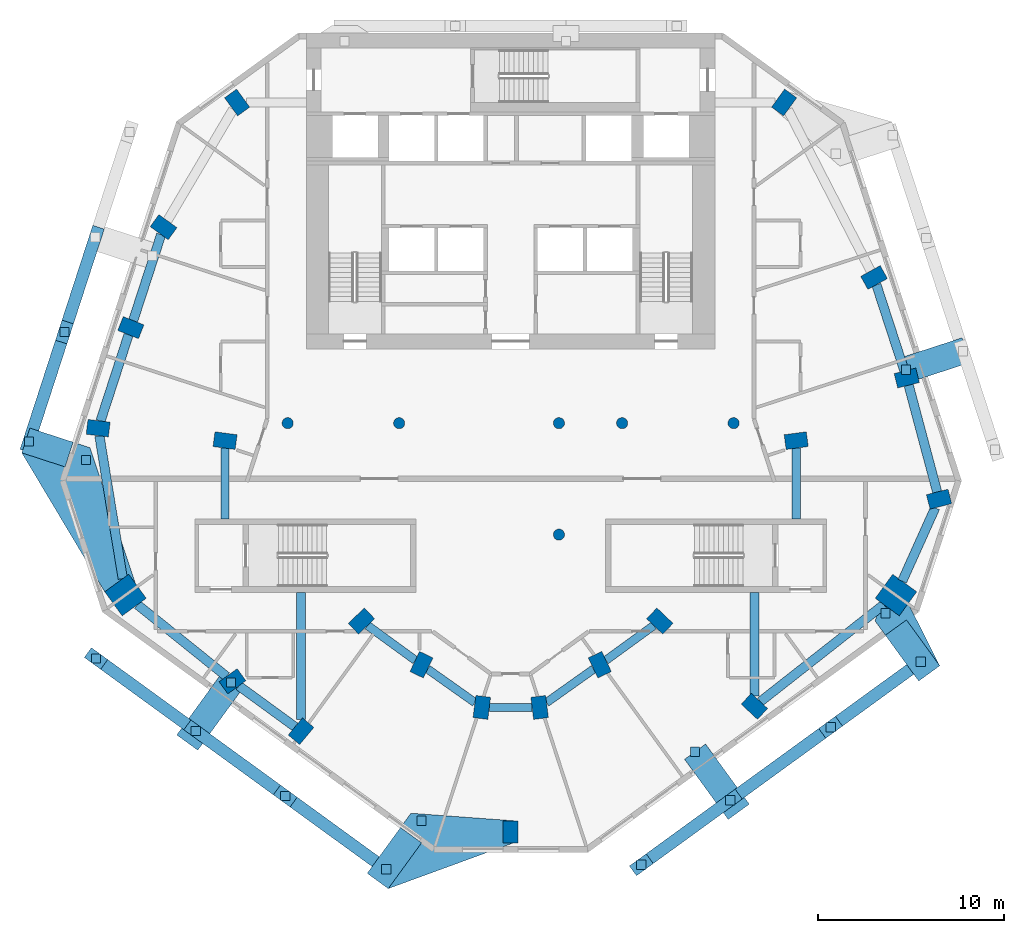
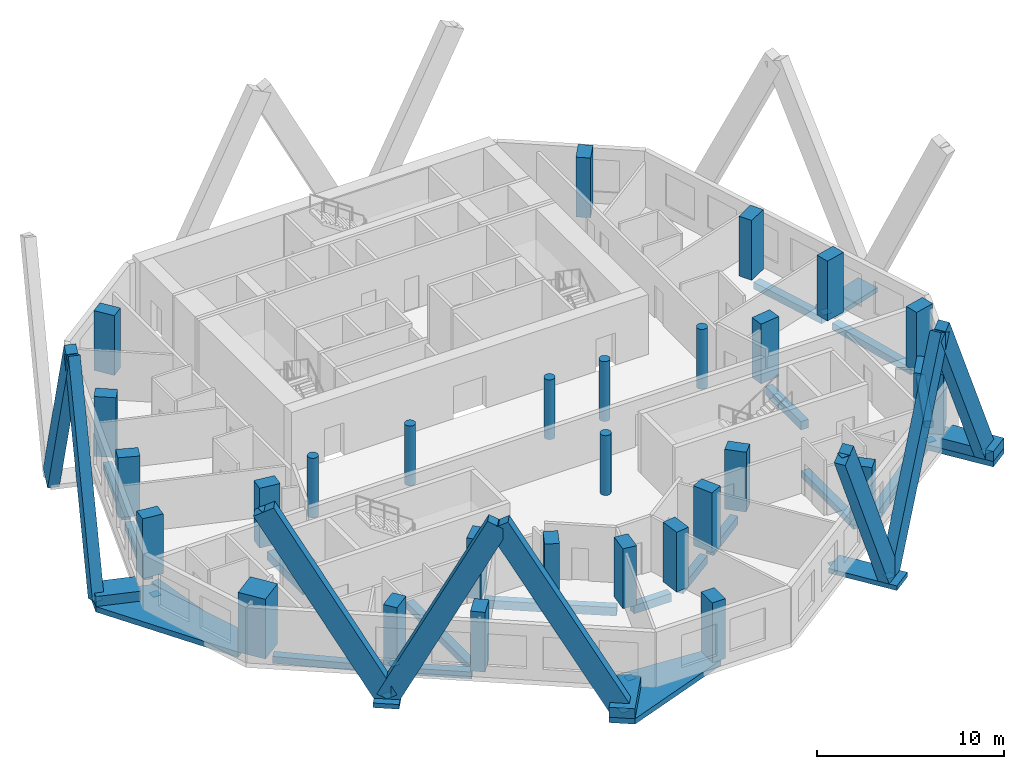
# One storey, part 1 of 10: 28 columns, 18 beams, 17 members, 16 discrete accessories.
"""IFC4 building model written with IfcOpenShell, lengths in metres."""

import ifcopenshell
import ifcopenshell.guid

model = None  # the IFC model being written
_history = None  # IfcOwnerHistory: only IFC2X3 demands one
_inside = {}  # id of a spatial element -> (the spatial element, [elements in it])
_under = {}  # id of a project, library or spatial element -> (it, [spatial elements below it])
_declared = {}  # id of a project -> (the project, [libraries it declares])
_typed = {}  # id of a type object -> (the type object, [elements of that type])
_made_of = {}  # id of a material, layer set ... -> (it, [elements and type objects made of it])


def new_model(schema):
    """Start an empty IFC model of exactly this schema.

    Asked for "IFC4X3", IfcOpenShell would pick the latest addendum, in which some entities
    have other attributes; the version numbers below select the first issue.
    IFC2X3 requires an IfcOwnerHistory on every rooted entity: one is made here for all.
    """
    global model, _history
    if schema == "IFC4X3":
        model = ifcopenshell.file(schema_version=(4, 3, 0, 0))
    else:
        model = ifcopenshell.file(schema=schema)
    _inside.clear()
    _under.clear()
    _declared.clear()
    _typed.clear()
    _made_of.clear()
    _history = None
    if model.schema == "IFC2X3":
        org = make("IfcOrganization", Name="unknown")
        user = make(
            "IfcPersonAndOrganization",
            ThePerson=make("IfcPerson", FamilyName="unknown"),
            TheOrganization=org,
        )
        app = make(
            "IfcApplication",
            ApplicationDeveloper=org,
            Version="unknown",
            ApplicationFullName="unknown",
            ApplicationIdentifier="unknown",
        )
        _history = make(
            "IfcOwnerHistory",
            OwningUser=user,
            OwningApplication=app,
            ChangeAction="ADDED",
            CreationDate=0,
        )
    return model


def make(cls, **values):
    """One entity of the class cls with the attributes given. An attribute that is None is left unset."""
    return model.create_entity(
        cls, **{name: value for name, value in values.items() if value is not None}
    )


def rooted(cls, **values):
    """An entity with a GlobalId (a new one), such as an element, a storey or a relation."""
    return make(cls, GlobalId=ifcopenshell.guid.new(), OwnerHistory=_history, **values)


def si_unit(unit_type, name, prefix=None):
    """IfcSIUnit, for example si_unit("LENGTHUNIT", "METRE", prefix="MILLI")."""
    return make("IfcSIUnit", UnitType=unit_type, Prefix=prefix, Name=name)


def assignment(units):
    """IfcUnitAssignment: the units of a project."""
    return None if units is None else make("IfcUnitAssignment", Units=units)


def point(xyz):
    """IfcCartesianPoint."""
    return None if xyz is None else make("IfcCartesianPoint", Coordinates=xyz)


def direction(xyz):
    """IfcDirection."""
    return None if xyz is None else make("IfcDirection", DirectionRatios=xyz)


def frame(location, z_axis=None, x_axis=None):
    """IfcAxis2Placement3D, a coordinate frame: its origin and axes. An axis left out is left unset."""
    return make(
        "IfcAxis2Placement3D",
        Location=point(location),
        Axis=direction(z_axis),
        RefDirection=direction(x_axis),
    )


def frame_2d(location, x_axis=None):
    """IfcAxis2Placement2D, a coordinate frame in the plane: its origin and x axis."""
    return make(
        "IfcAxis2Placement2D", Location=point(location), RefDirection=direction(x_axis)
    )


def origin():
    """The frame at (0, 0, 0) with its axes left unset."""
    return frame((0.0, 0.0, 0.0))


def origin_2d():
    """The frame at (0, 0) in the plane with its x axis left unset."""
    return frame_2d((0.0, 0.0))


def place(relative_to, where):
    """IfcLocalPlacement: puts the frame where relative to a parent placement (None: the world)."""
    return make(
        "IfcLocalPlacement", PlacementRelTo=relative_to, RelativePlacement=where
    )


def context(
    kind, dimensions, precision=None, world=None, true_north=None, identifier=None
):
    """IfcGeometricRepresentationContext, for example the 3D "Model" context."""
    return make(
        "IfcGeometricRepresentationContext",
        ContextIdentifier=identifier,
        ContextType=kind,
        CoordinateSpaceDimension=dimensions,
        Precision=precision,
        WorldCoordinateSystem=world,
        TrueNorth=true_north,
    )


def subcontext(parent, identifier, kind, view, scale=None):
    """IfcGeometricRepresentationSubContext, for example "Body" below "Model"."""
    return make(
        "IfcGeometricRepresentationSubContext",
        ContextIdentifier=identifier,
        ContextType=kind,
        ParentContext=parent,
        TargetScale=scale,
        TargetView=view,
    )


def project(units=None, contexts=None):
    """IfcProject with its units and contexts."""
    return rooted(
        "IfcProject",
        Name="project",
        RepresentationContexts=contexts,
        UnitsInContext=assignment(units),
    )


def spatial(cls, under=None, at=None, **own):
    """A site, building, storey or space (cls), placed at a placement, below another one or the project."""
    s = rooted(cls, ObjectPlacement=at, **own)
    if under is not None:
        _under.setdefault(under.id(), (under, []))[1].append(s)
    return s


def polyline(points):
    """IfcPolyline through the points."""
    return make("IfcPolyline", Points=[point(p) for p in points])


def profile(cls, at=None, kind="AREA", **sizes):
    """A parametric profile (cls). Its sizes go by their IFC names, for example OverallWidth=200.0."""
    return make(cls, ProfileType=kind, Position=at, **sizes)


def rectangle(**sizes):
    """IfcRectangleProfileDef."""
    return profile("IfcRectangleProfileDef", **sizes)


def circle(**sizes):
    """IfcCircleProfileDef."""
    return profile("IfcCircleProfileDef", **sizes)


def outline(outer, holes=None, kind="AREA"):
    """IfcArbitraryClosedProfileDef: a profile drawn as a closed curve; with holes, ...WithVoids."""
    if holes is None:
        return make("IfcArbitraryClosedProfileDef", ProfileType=kind, OuterCurve=outer)
    return make(
        "IfcArbitraryProfileDefWithVoids",
        ProfileType=kind,
        OuterCurve=outer,
        InnerCurves=holes,
    )


def extrude(swept, where, along, depth):
    """IfcExtrudedAreaSolid: the profile swept, set in the frame where, extruded along a direction by depth."""
    return make(
        "IfcExtrudedAreaSolid",
        SweptArea=swept,
        Position=where,
        ExtrudedDirection=direction(along),
        Depth=depth,
    )


def shape(context_of_items, identifier, shape_type, items):
    """IfcShapeRepresentation: the items that make up one representation, for example the "Body"."""
    return make(
        "IfcShapeRepresentation",
        ContextOfItems=context_of_items,
        RepresentationIdentifier=identifier,
        RepresentationType=shape_type,
        Items=items,
    )


def material(Name=None, Category=None):
    """IfcMaterial."""
    return make("IfcMaterial", Name=Name, Category=Category)


def layer(
    of_material, thickness, ventilated=None, Name=None, Category=None, Priority=None
):
    """IfcMaterialLayer: one layer of a wall or slab, of a material (None: an air gap)."""
    return make(
        "IfcMaterialLayer",
        Material=of_material,
        LayerThickness=thickness,
        IsVentilated=ventilated,
        Name=Name,
        Category=Category,
        Priority=Priority,
    )


def layer_set(layers, Name=None):
    """IfcMaterialLayerSet."""
    return make("IfcMaterialLayerSet", MaterialLayers=layers, LayerSetName=Name)


def material_profile(
    of_material, cross_section, Name=None, Category=None, Priority=None
):
    """IfcMaterialProfile: a cross section and its material."""
    return make(
        "IfcMaterialProfile",
        Name=Name,
        Material=of_material,
        Profile=cross_section,
        Priority=Priority,
        Category=Category,
    )


def profile_set(profiles, Name=None, composite=None):
    """IfcMaterialProfileSet."""
    return make(
        "IfcMaterialProfileSet",
        Name=Name,
        MaterialProfiles=profiles,
        CompositeProfile=composite,
    )


def made_of(thing, what):
    """Note that an element or type object is made of a material, layer set ...; save() writes the relation."""
    if what is not None:
        _made_of.setdefault(what.id(), (what, []))[1].append(thing)
    return thing


def type_object(cls, material=None, **own):
    """A type object (cls), such as IfcWallType, which elements share."""
    return made_of(rooted(cls, **own), material)


def element(
    cls,
    number,
    at=None,
    inside=None,
    cuts=None,
    type_object=None,
    material=None,
    context=None,
    identifier="Body",
    shape_type=None,
    held_by="IfcProductDefinitionShape",
    body=None,
    shapes=None,
    **own,
):
    """One element of the class cls, such as IfcWall. Its Tag is "e" and its number.

    at: its placement. inside: the storey or other place that contains it. cuts: it is an
    opening in that element (IfcRelVoidsElement). A single representation is given by context,
    identifier, shape_type and body (its items); several are given by shapes. held_by: the class
    of the entity that holds the representations. save() writes the other relations.
    """
    e = rooted(cls, Tag="e%d" % number, ObjectPlacement=at, **own)
    if body is not None:
        shapes = [shape(context, identifier, shape_type, body)]
    if shapes is not None:
        e.Representation = make(held_by, Representations=shapes)
    if inside is not None:
        _inside.setdefault(inside.id(), (inside, []))[1].append(e)
    if cuts is not None:
        rooted(
            "IfcRelVoidsElement", RelatingBuildingElement=cuts, RelatedOpeningElement=e
        )
    if type_object is not None:
        _typed.setdefault(type_object.id(), (type_object, []))[1].append(e)
    return made_of(e, material)


def aggregate(whole, parts):
    """IfcRelAggregates: a whole, such as a stair, and the parts it consists of."""
    return rooted("IfcRelAggregates", RelatingObject=whole, RelatedObjects=parts)


def save(model, path):
    """Write the relations noted so far, then the file.

    IfcRelAggregates (storeys below a building ...), IfcRelContainedInSpatialStructure (elements
    in a storey), IfcRelDefinesByType, IfcRelAssociatesMaterial and IfcRelDeclares: one each for
    every whole, place, type object, material and project.
    """
    for whole, parts in _under.values():
        aggregate(whole, parts)
    for where, things in _inside.values():
        rooted(
            "IfcRelContainedInSpatialStructure",
            RelatedElements=things,
            RelatingStructure=where,
        )
    for kind, things in _typed.values():
        rooted("IfcRelDefinesByType", RelatedObjects=things, RelatingType=kind)
    for what, things in _made_of.values():
        rooted("IfcRelAssociatesMaterial", RelatedObjects=things, RelatingMaterial=what)
    for by, libraries in _declared.values():
        rooted("IfcRelDeclares", RelatingContext=by, RelatedDefinitions=libraries)
    model.write(path)


model = new_model("IFC4")

# Units and contexts
model_context = context("Model", 3, precision=1e-05, world=origin(), true_north=direction((0.0, 1.0)))
body_context = subcontext(model_context, "Body", "Model", "MODEL_VIEW")
ifc_project = project(units=[si_unit("LENGTHUNIT", "METRE"), si_unit("AREAUNIT", "SQUARE_METRE"), si_unit("VOLUMEUNIT", "CUBIC_METRE"), si_unit("PLANEANGLEUNIT", "RADIAN"), si_unit("MASSUNIT", "GRAM", prefix="KILO")], contexts=[model_context])

# Site, building, storey
site_placement = place(None, origin())
site = spatial("IfcSite", under=ifc_project, at=site_placement, CompositionType="ELEMENT")
building_placement = place(site_placement, origin())
building = spatial("IfcBuilding", under=site, at=building_placement, Name="White Candle Pilgrim Tower", CompositionType="ELEMENT")
storey_placement = place(building_placement, frame((0.0, 0.0, 231.60009765625)))
storey = spatial("IfcBuildingStorey", under=building, at=storey_placement, Name="L54", CompositionType="ELEMENT", Elevation=231.60009765625)

# Columns
ifc_material_1 = material(Name="Concrete C70/85", Category="concrete")
ifc_material_profile_1 = material_profile(ifc_material_1, circle(Radius=0.300048828125, at=origin_2d()), Name="RC-COL D600")
ifc_profile_set_1 = profile_set([ifc_material_profile_1], Name="Concrete C70/85")
column_type_1 = type_object("IfcColumnType", Name="Interior column RC-COL D600 C70/85", PredefinedType="COLUMN", material=ifc_profile_set_1)
for number, where, z_axis, x_axis, name in (
    (1, (58.0, 67.0, 0.0), (0.0, 0.0, 1.0), (1.0, 0.0, 0.0), "L54 column I01"),
    (2, (64.0, 67.0, 0.0), (0.0, 0.0, 1.0), (1.0, 0.0, 0.0), "L54 column I02"),
    (3, (72.60009765625, 61.0, 0.0), (0.0, 0.0, 1.0), (1.0, 0.0, 0.0), "L54 column I03"),
    (4, (72.60009765625, 67.0, 0.0), (0.0, 0.0, 1.0), (1.0, 0.0, 0.0), "L54 column I04"),
    (5, (76.0, 67.0, 0.0), (0.0, 0.0, 1.0), (1.0, 0.0, 0.0), "L54 column I05"),
    (6, (82.0, 67.0, 0.0), (0.0, 0.0, 1.0), (1.0, 0.0, 0.0), "L54 column I06"),
):
    element("IfcColumn", number, at=place(storey_placement, frame(where, z_axis=z_axis, x_axis=x_axis)), inside=storey, type_object=column_type_1, Name=name, PredefinedType="COLUMN", context=body_context, shape_type="SweptSolid", body=[
        extrude(circle(Radius=0.300048828125, at=origin_2d()), origin(), (0.0, 0.0, 1.0), 3.89990234375),
    ])
ifc_material_profile_2 = material_profile(ifc_material_1, rectangle(XDim=1.60009765625, YDim=1.60009765625, at=origin_2d()), Name="RC 1600x1600")
ifc_profile_set_2 = profile_set([ifc_material_profile_2], Name="Concrete C70/85")
column_type_2 = type_object("IfcColumnType", Name="Mega column RC 1600x1600 C70/85", PredefinedType="COLUMN", material=ifc_profile_set_2)
for number, where, z_axis, x_axis, name in (
    (7, (49.27001953125, 57.75, 0.0), (0.0, 0.0, 1.0), (-0.809016994375, -0.587785252292, 0.0), "L54 mega column T01"),
    (8, (90.739990234375, 57.75, 0.0), (0.0, 0.0, 1.0), (0.809016994375, -0.587785252292, 0.0), "L54 mega column T06"),
):
    element("IfcColumn", number, at=place(storey_placement, frame(where, z_axis=z_axis, x_axis=x_axis)), inside=storey, type_object=column_type_2, Name=name, PredefinedType="COLUMN", context=body_context, shape_type="SweptSolid", body=[
        extrude(rectangle(XDim=1.60009765625, YDim=1.60009765625, at=origin_2d()), origin(), (0.0, 0.0, 1.0), 3.89990234375),
    ])
ifc_material_profile_3 = material_profile(ifc_material_1, rectangle(XDim=0.800048828125, YDim=1.199951171875, at=origin_2d()), Name="RC-PR 800x1200")
ifc_profile_set_3 = profile_set([ifc_material_profile_3], Name="Concrete C70/85")
column_type_3 = type_object("IfcColumnType", Name="Perimeter column RC-PR 800x1200 C70/85", PredefinedType="COLUMN", material=ifc_profile_set_3)
for number, where, z_axis, x_axis, name in (
    (9, (55.030029296875, 53.110107421875, 0.0), (0.0, 0.0, 1.0), (-0.58846280644, 0.808524288711, 0.0), "L54 column T02"),
    (10, (58.719970703125, 50.419921875, 0.0), (0.0, 0.0, 1.0), (-0.769310358735, 0.638875239733, 0.0), "L54 column T03"),
    (11, (70.0, 45.0, 0.0), (0.0, 0.0, 1.0), (-1.0, 0.0, 0.0), "L54 column T04"),
    (12, (83.1201171875, 51.760009765625, 0.0), (0.0, 0.0, 1.0), (-0.681998360062, -0.731353701619, 0.0), "L54 column T05"),
    (13, (93.06005859375, 62.909912109375, 0.0), (0.0, 0.0, 1.0), (0.246880623275, -0.969045900797, 0.0), "L54 column T07"),
    (14, (91.320068359375, 69.429931640625, 0.0), (0.0, 0.0, 1.0), (0.246880623275, -0.969045900797, 0.0), "L54 column T08"),
    (15, (89.56005859375, 74.840087890625, 0.0), (0.0, 0.0, 1.0), (0.484809620246, -0.874619707139, 0.0), "L54 column T09"),
    (16, (84.719970703125, 84.260009765625, 0.0), (0.0, 0.0, 1.0), (0.80902725304, -0.587771132193, 0.0), "L54 column T10"),
    (17, (55.280029296875, 84.260009765625, 0.0), (0.0, 0.0, 1.0), (0.80902725304, 0.587771132193, 0.0), "L54 column T11"),
    (18, (51.320068359375, 77.550048828125, 0.0), (0.0, 0.0, 1.0), (0.587107285614, 0.809509132239, 0.0), "L54 column T12"),
    (19, (49.56005859375, 72.139892578125, 0.0), (0.0, 0.0, 1.0), (0.369860269472, 0.929087391512, 0.0), "L54 column T13"),
    (20, (47.800048828125, 66.72998046875, 0.0), (0.0, 0.0, 1.0), (0.121869343405, 0.992546151641, 0.0), "L54 column T14"),
):
    element("IfcColumn", number, at=place(storey_placement, frame(where, z_axis=z_axis, x_axis=x_axis)), inside=storey, type_object=column_type_3, Name=name, PredefinedType="COLUMN", context=body_context, shape_type="SweptSolid", body=[
        extrude(rectangle(XDim=0.800048828125, YDim=1.199951171875, at=origin_2d()), origin(), (0.0, 0.0, 1.0), 3.89990234375),
    ])
ifc_material_profile_4 = material_profile(ifc_material_1, rectangle(XDim=0.800048828125, YDim=1.199951171875, at=origin_2d()), Name="RC-PR 800x1200")
ifc_profile_set_4 = profile_set([ifc_material_profile_4], Name="Concrete C70/85")
column_type_4 = type_object("IfcColumnType", Name="Ring column RC-PR 800x1200 C70/85", PredefinedType="COLUMN", material=ifc_profile_set_4)
for number, where, z_axis, x_axis, name in (
    (21, (61.969970703125, 56.35009765625, 0.0), (0.0, 0.0, 1.0), (-0.689872285383, 0.723931094691, 0.0), "L54 column R01"),
    (22, (65.199951171875, 54.0, 0.0), (0.0, 0.0, 1.0), (-0.901689191761, 0.43238478403, 0.0), "L54 column R02"),
    (23, (68.449951171875, 51.699951171875, 0.0), (0.0, 0.0, 1.0), (-0.992092811428, 0.125506388335, 0.0), "L54 column R03"),
    (24, (71.56005859375, 51.699951171875, 0.0), (0.0, 0.0, 1.0), (-0.992092811428, -0.125506388335, 0.0), "L54 column R04"),
    (25, (74.800048828125, 54.0, 0.0), (0.0, 0.0, 1.0), (-0.901689191761, -0.43238478403, 0.0), "L54 column R05"),
    (26, (78.030029296875, 56.35009765625, 0.0), (0.0, 0.0, 1.0), (-0.689872285383, -0.723931094691, 0.0), "L54 column R06"),
    (27, (85.3701171875, 66.06005859375, 0.0), (0.0, 0.0, 1.0), (0.132602381688, -0.991169313675, 0.0), "L54 column R07"),
    (28, (54.6298828125, 66.06005859375, 0.0), (0.0, 0.0, 1.0), (0.132602381688, 0.991169313675, 0.0), "L54 column R08"),
):
    element("IfcColumn", number, at=place(storey_placement, frame(where, z_axis=z_axis, x_axis=x_axis)), inside=storey, type_object=column_type_4, Name=name, PredefinedType="COLUMN", context=body_context, shape_type="SweptSolid", body=[
        extrude(rectangle(XDim=0.800048828125, YDim=1.199951171875, at=origin_2d()), origin(), (0.0, 0.0, 1.0), 3.89990234375),
    ])

# Member
ifc_material_2 = material(Name="Concrete C70/85, white", Category="concrete")
ifc_material_profile_5 = material_profile(ifc_material_2, rectangle(XDim=0.64990234375, YDim=1.25, at=origin_2d()), Name="RC-DG 650x1250")
ifc_profile_set_5 = profile_set([ifc_material_profile_5], Name="Concrete C70/85, white")
member_type_1 = type_object("IfcMemberType", Name="Exoskeleton diagonal RC-DG 650x1250 C70/85", PredefinedType="BRACE", material=ifc_profile_set_5)
member_1_placement = place(storey_placement, frame((81.822998046875, 46.710205078125, 0.0), z_axis=(-0.36513208889, -0.265288228386, 0.892356830838), x_axis=(0.587791397347, -0.809012529696, 0.0)))
member_1 = element("IfcMember", 29, at=member_1_placement, inside=storey, type_object=member_type_1, Name="Exoskeleton diagonal EX214", PredefinedType="BRACE", context=body_context, shape_type="SweptSolid", body=[
    extrude(rectangle(XDim=0.64990234375, YDim=1.25, at=origin_2d()), origin(), (0.0, 0.0, 1.0), 13.111328125),
])

member_2_placement = place(storey_placement, frame((81.822998046875, 46.710205078125, 0.0), z_axis=(0.40087319314, 0.291234365753, 0.868609939631), x_axis=(-0.587762720698, 0.809033364057, 0.0)))
member_2 = element("IfcMember", 30, at=member_2_placement, inside=storey, type_object=member_type_1, Name="Exoskeleton diagonal EX215", PredefinedType="BRACE", context=body_context, shape_type="SweptSolid", body=[
    extrude(rectangle(XDim=0.64990234375, YDim=1.25, at=origin_2d()), origin(), (0.0, 0.0, 1.0), 13.4697265625),
])

member_3_placement = place(storey_placement, frame((92.074951171875, 54.15869140625, 0.0), z_axis=(-0.369058538068, -0.268154684188, 0.889881374582), x_axis=(0.587811020968, -0.808998271709, 0.0)))
member_3 = element("IfcMember", 31, at=member_3_placement, inside=storey, type_object=member_type_1, Name="Exoskeleton diagonal EX216", PredefinedType="BRACE", context=body_context, shape_type="SweptSolid", body=[
    extrude(rectangle(XDim=0.64990234375, YDim=1.25, at=origin_2d()), origin(), (0.0, 0.0, 1.0), 13.147705078125),
])

member_4_placement = place(storey_placement, frame((53.051025390625, 50.434326171875, 0.0), z_axis=(-0.399033802721, 0.289922571854, 0.869894779048), x_axis=(-0.587795262955, -0.809009721108, 0.0)))
member_4 = element("IfcMember", 32, at=member_4_placement, inside=storey, type_object=member_type_1, Name="Exoskeleton diagonal EX226", PredefinedType="BRACE", context=body_context, shape_type="SweptSolid", body=[
    extrude(rectangle(XDim=0.64990234375, YDim=1.25, at=origin_2d()), origin(), (0.0, 0.0, 1.0), 13.449951171875),
])

member_5_placement = place(storey_placement, frame((53.051025390625, 50.434326171875, 0.0), z_axis=(0.367101226647, -0.266707167146, 0.891125118256), x_axis=(0.587774454156, 0.80902483957, 0.0)))
member_5 = element("IfcMember", 33, at=member_5_placement, inside=storey, type_object=member_type_1, Name="Exoskeleton diagonal EX227", PredefinedType="BRACE", context=body_context, shape_type="SweptSolid", body=[
    extrude(rectangle(XDim=0.64990234375, YDim=1.25, at=origin_2d()), origin(), (0.0, 0.0, 1.0), 13.12939453125),
])

member_6_placement = place(storey_placement, frame((63.302978515625, 42.98583984375, 0.0), z_axis=(-0.402685022037, 0.292575553539, 0.867320193757), x_axis=(-0.587795455647, -0.809009581105, 0.0)))
member_6 = element("IfcMember", 34, at=member_6_placement, inside=storey, type_object=member_type_1, Name="Exoskeleton diagonal EX228", PredefinedType="BRACE", context=body_context, shape_type="SweptSolid", body=[
    extrude(rectangle(XDim=0.64990234375, YDim=1.25, at=origin_2d()), origin(), (0.0, 0.0, 1.0), 13.48974609375),
])

member_7_placement = place(storey_placement, frame((47.6435546875, 77.004150390625, 0.0), z_axis=(-0.128715738821, -0.396125768949, 0.909129602287), x_axis=(0.951051806783, -0.309031488388, 0.0)))
member_7 = element("IfcMember", 35, at=member_7_placement, inside=storey, type_object=member_type_1, Name="Exoskeleton diagonal EX239", PredefinedType="BRACE", context=body_context, shape_type="SweptSolid", body=[
    extrude(rectangle(XDim=0.64990234375, YDim=1.25, at=origin_2d()), origin(), (0.0, 0.0, 1.0), 12.869384765625),
])

member_8_placement = place(storey_placement, frame((44.07275390625, 66.014404296875, 0.0), z_axis=(0.144597602096, 0.445041950183, 0.883758562078), x_axis=(-0.951059840625, 0.309006762953, 0.0)))
member_8 = element("IfcMember", 36, at=member_8_placement, inside=storey, type_object=member_type_1, Name="Exoskeleton diagonal EX240", PredefinedType="BRACE", context=body_context, shape_type="SweptSolid", body=[
    extrude(rectangle(XDim=0.64990234375, YDim=1.25, at=origin_2d()), origin(), (0.0, 0.0, 1.0), 13.23876953125),
])

ifc_layer_1 = layer(ifc_material_2, 0.300048828125)
ifc_layer_set_1 = layer_set([ifc_layer_1], Name="Node tie strut 3400x1400x300 C70/85")
member_type_2 = type_object("IfcMemberType", Name="Node tie strut 3400x1400x300 C70/85", PredefinedType="STRUT", material=ifc_layer_set_1)
member_9_placement = place(storey_placement, frame((92.8974609375, 70.404052734375, -0.30029296875), z_axis=(0.0, 0.0, 1.0), x_axis=(-0.309016994375, 0.951056516295, 0.0)))
member_9 = element("IfcMember", 37, at=member_9_placement, inside=storey, type_object=member_type_2, Name="Node tie strut NC182", PredefinedType="STRUT", context=body_context, shape_type="SweptSolid", body=[
    extrude(rectangle(XDim=1.39990234375, YDim=3.39990234375, at=origin_2d()), origin(), (0.0, 0.0, 1.0), 0.300048828125),
])

member_10_placement = place(storey_placement, frame((0.0, 0.0, -0.35009765625)))
member_10 = element("IfcMember", 38, at=member_10_placement, inside=storey, type_object=member_type_2, Name="Node tie strut NC191", PredefinedType="STRUT", context=body_context, shape_type="SweptSolid", body=[
    extrude(outline(polyline([(48.152587890625, 57.927001953125), (49.447021484375, 58.867431640625), (49.802490234375, 58.3779296875), (47.356201171875, 65.68359375), (44.122802734375, 66.734375), (43.690185546875, 65.40283203125), (48.152587890625, 57.927001953125)])), origin(), (0.0, 0.0, 1.0), 0.35009765625),
])

member_11_placement = place(storey_placement, origin())
element("IfcMember", 39, at=member_11_placement, inside=storey, type_object=member_type_2, Name="Node tie strut NC191", PredefinedType="STRUT", context=body_context, shape_type="SweptSolid", body=[
    extrude(outline(polyline([(46.020263671875, 64.645751953125), (46.452880859375, 65.977294921875), (44.122802734375, 66.734375), (43.690185546875, 65.40283203125), (46.020263671875, 64.645751953125)])), origin(), (0.0, 0.0, 1.0), 0.64990234375),
])

ifc_layer_2 = layer(ifc_material_2, 0.300048828125)
ifc_layer_set_2 = layer_set([ifc_layer_2], Name="Node tie strut 4000x1400x300 C70/85")
member_type_3 = type_object("IfcMemberType", Name="Node tie strut 4000x1400x300 C70/85", PredefinedType="STRUT", material=ifc_layer_set_2)
member_12_placement = place(storey_placement, frame((81.10302734375, 47.701171875, -0.30029296875), z_axis=(0.0, 0.0, 1.0), x_axis=(0.809016994375, 0.587785252292, 0.0)))
member_12 = element("IfcMember", 40, at=member_12_placement, inside=storey, type_object=member_type_3, Name="Node tie strut NC186", PredefinedType="STRUT", context=body_context, shape_type="SweptSolid", body=[
    extrude(rectangle(XDim=1.39990234375, YDim=4.0, at=origin_2d()), origin(), (0.0, 0.0, 1.0), 0.300048828125),
])

member_13_placement = place(storey_placement, frame((0.0, 0.0, -0.35009765625)))
member_13 = element("IfcMember", 41, at=member_13_placement, inside=storey, type_object=member_type_3, Name="Node tie strut NC187", PredefinedType="STRUT", context=body_context, shape_type="SweptSolid", body=[
    extrude(outline(polyline([(91.964111328125, 53.1201171875), (93.0966796875, 53.943115234375), (91.400634765625, 57.29833984375), (90.9169921875, 56.632568359375), (89.94482421875, 57.3388671875), (89.613037109375, 56.356201171875), (91.964111328125, 53.1201171875)])), origin(), (0.0, 0.0, 1.0), 0.35009765625),
])

member_14_placement = place(storey_placement, origin())
element("IfcMember", 42, at=member_14_placement, inside=storey, type_object=member_type_3, Name="Node tie strut NC187", PredefinedType="STRUT", context=body_context, shape_type="SweptSolid", body=[
    extrude(outline(polyline([(91.964111328125, 53.1201171875), (93.0966796875, 53.943115234375), (91.303955078125, 56.410400390625), (90.17138671875, 55.587646484375), (91.964111328125, 53.1201171875)])), origin(), (0.0, 0.0, 1.0), 0.64990234375),
])

member_15_placement = place(storey_placement, frame((53.77099609375, 51.42529296875, -0.30029296875), z_axis=(0.0, 0.0, 1.0), x_axis=(0.809016994375, -0.587785252292, 0.0)))
member_15 = element("IfcMember", 43, at=member_15_placement, inside=storey, type_object=member_type_3, Name="Node tie strut NC188", PredefinedType="STRUT", context=body_context, shape_type="SweptSolid", body=[
    extrude(rectangle(XDim=1.39990234375, YDim=4.0, at=origin_2d()), origin(), (0.0, 0.0, 1.0), 0.300048828125),
])

member_16_placement = place(storey_placement, frame((0.0, 0.0, -0.35009765625)))
member_16 = element("IfcMember", 44, at=member_16_placement, inside=storey, type_object=member_type_3, Name="Node tie strut NC189", PredefinedType="STRUT", context=body_context, shape_type="SweptSolid", body=[
    extrude(outline(polyline([(63.413818359375, 41.947509765625), (70.125, 44.39990234375), (69.60009765625, 44.39990234375), (69.60009765625, 45.60009765625), (70.175537109375, 45.60009765625), (64.63232421875, 46.00634765625), (62.281005859375, 42.770263671875), (63.413818359375, 41.947509765625)])), origin(), (0.0, 0.0, 1.0), 0.35009765625),
])

member_17_placement = place(storey_placement, origin())
element("IfcMember", 45, at=member_17_placement, inside=storey, type_object=member_type_3, Name="Node tie strut NC189", PredefinedType="STRUT", context=body_context, shape_type="SweptSolid", body=[
    extrude(outline(polyline([(63.413818359375, 41.947509765625), (65.20654296875, 44.414794921875), (64.073974609375, 45.23779296875), (62.281005859375, 42.770263671875), (63.413818359375, 41.947509765625)])), origin(), (0.0, 0.0, 1.0), 0.64990234375),
])

# Beams
ifc_material_3 = material(Name="Concrete C50/60", Category="concrete")
ifc_material_profile_6 = material_profile(ifc_material_3, rectangle(XDim=0.449951171875, YDim=0.550048828125, at=origin_2d()), Name="RC-BM 450x550")
ifc_profile_set_6 = profile_set([ifc_material_profile_6], Name="Concrete C50/60")
beam_type_1 = type_object("IfcBeamType", Name="Ring beam RC-BM 450x550 C50/60", PredefinedType="BEAM", material=ifc_profile_set_6)
beam_1_placement = place(storey_placement, frame((62.298828125, 56.11083984375, -0.5751953125), z_axis=(0.808609951168, -0.588345091653, 0.0), x_axis=(0.588345091653, 0.808609951168, 0.0)))
element("IfcBeam", 46, at=beam_1_placement, inside=storey, type_object=beam_type_1, Name="L54 ring beam R01", PredefinedType="BEAM", context=body_context, shape_type="SweptSolid", body=[
    extrude(rectangle(XDim=0.449951171875, YDim=0.550048828125, at=origin_2d()), origin(), (0.0, 0.0, 1.0), 3.18115234375),
])
beam_2_placement = place(storey_placement, frame((65.53125, 53.765625, -0.5751953125), z_axis=(0.816256463166, -0.577689697277, 0.0), x_axis=(0.577689697277, 0.816256463166, 0.0)))
element("IfcBeam", 47, at=beam_2_placement, inside=storey, type_object=beam_type_1, Name="L54 ring beam R02", PredefinedType="BEAM", context=body_context, shape_type="SweptSolid", body=[
    extrude(rectangle(XDim=0.449951171875, YDim=0.550048828125, at=origin_2d()), origin(), (0.0, 0.0, 1.0), 3.122314453125),
])
beam_3_placement = place(storey_placement, frame((68.853271484375, 51.699951171875, -0.5751953125), z_axis=(1.0, 0.0, 0.0), x_axis=(0.0, 1.0, 0.0)))
element("IfcBeam", 48, at=beam_3_placement, inside=storey, type_object=beam_type_1, Name="L54 ring beam R03", PredefinedType="BEAM", context=body_context, shape_type="SweptSolid", body=[
    extrude(rectangle(XDim=0.449951171875, YDim=0.550048828125, at=origin_2d()), origin(), (0.0, 0.0, 1.0), 2.303466796875),
])
beam_4_placement = place(storey_placement, frame((71.929931640625, 51.962646484375, -0.5751953125), z_axis=(0.815419993855, 0.578869789868, 0.0), x_axis=(-0.578869789868, 0.815419993855, 0.0)))
element("IfcBeam", 49, at=beam_4_placement, inside=storey, type_object=beam_type_1, Name="L54 ring beam R04", PredefinedType="BEAM", context=body_context, shape_type="SweptSolid", body=[
    extrude(rectangle(XDim=0.449951171875, YDim=0.550048828125, at=origin_2d()), origin(), (0.0, 0.0, 1.0), 3.11376953125),
])
beam_5_placement = place(storey_placement, frame((75.12890625, 54.2392578125, -0.5751953125), z_axis=(0.808609951168, 0.588345091653, 0.0), x_axis=(-0.588345091653, 0.808609951168, 0.0)))
element("IfcBeam", 50, at=beam_5_placement, inside=storey, type_object=beam_type_1, Name="L54 ring beam R05", PredefinedType="BEAM", context=body_context, shape_type="SweptSolid", body=[
    extrude(rectangle(XDim=0.449951171875, YDim=0.550048828125, at=origin_2d()), origin(), (0.0, 0.0, 1.0), 3.18115234375),
])
for number, where, z_axis, x_axis, name in (
    (51, (85.3701171875, 65.656494140625, -0.5751953125), (0.0, -1.0, 0.0), (1.0, 0.0, 0.0), "L54 ring beam R06"),
    (52, (54.6298828125, 65.656494140625, -0.5751953125), (0.0, -1.0, 0.0), (1.0, 0.0, 0.0), "L54 ring beam R07"),
):
    element("IfcBeam", number, at=place(storey_placement, frame(where, z_axis=z_axis, x_axis=x_axis)), inside=storey, type_object=beam_type_1, Name=name, PredefinedType="BEAM", context=body_context, shape_type="SweptSolid", body=[
        extrude(rectangle(XDim=0.449951171875, YDim=0.550048828125, at=origin_2d()), origin(), (0.0, 0.0, 1.0), 3.806396484375),
    ])
ifc_material_profile_7 = material_profile(ifc_material_3, rectangle(XDim=0.5, YDim=0.449951171875, at=origin_2d()), Name="RC-BM 500x450")
ifc_profile_set_7 = profile_set([ifc_material_profile_7], Name="Concrete C50/60")
beam_type_2 = type_object("IfcBeamType", Name="Spandrel beam RC-BM 500x450 C50/60", PredefinedType="BEAM", material=ifc_profile_set_7)
beam_6_placement = place(storey_placement, frame((49.915283203125, 57.22998046875, -0.525146484375), z_axis=(0.778778136726, -0.62729946099, 0.0), x_axis=(0.62729946099, 0.778778136726, 0.0)))
element("IfcBeam", 53, at=beam_6_placement, inside=storey, type_object=beam_type_2, Name="L54 spandrel beam T01", PredefinedType="BEAM", context=body_context, shape_type="SweptSolid", body=[
    extrude(rectangle(XDim=0.5, YDim=0.449951171875, at=origin_2d()), origin(), (0.0, 0.0, 1.0), 6.153564453125),
])
beam_7_placement = place(storey_placement, frame((55.36962890625, 52.8623046875, -0.525146484375), z_axis=(0.808061834145, -0.58909767628, 0.0), x_axis=(0.58909767628, 0.808061834145, 0.0)))
element("IfcBeam", 54, at=beam_7_placement, inside=storey, type_object=beam_type_2, Name="L54 spandrel beam T02", PredefinedType="BEAM", context=body_context, shape_type="SweptSolid", body=[
    extrude(rectangle(XDim=0.5, YDim=0.449951171875, at=origin_2d()), origin(), (0.0, 0.0, 1.0), 3.7451171875),
])
beam_8_placement = place(storey_placement, frame((58.719970703125, 51.046142578125, -0.525146484375), z_axis=(0.0, 1.0, 0.0), x_axis=(-1.0, 0.0, 0.0)))
element("IfcBeam", 55, at=beam_8_placement, inside=storey, type_object=beam_type_2, Name="L54 spandrel beam T03", PredefinedType="BEAM", context=body_context, shape_type="SweptSolid", body=[
    extrude(rectangle(XDim=0.5, YDim=0.449951171875, at=origin_2d()), origin(), (0.0, 0.0, 1.0), 6.853759765625),
])
beam_9_placement = place(storey_placement, frame((83.1201171875, 52.306884765625, -0.525146484375), z_axis=(0.0, 1.0, 0.0), x_axis=(-1.0, 0.0, 0.0)))
element("IfcBeam", 56, at=beam_9_placement, inside=storey, type_object=beam_type_2, Name="L54 spandrel beam T04", PredefinedType="BEAM", context=body_context, shape_type="SweptSolid", body=[
    extrude(rectangle(XDim=0.5, YDim=0.449951171875, at=origin_2d()), origin(), (0.0, 0.0, 1.0), 5.593017578125),
])
beam_10_placement = place(storey_placement, frame((91.0751953125, 58.495361328125, -0.525146484375), z_axis=(0.410043403319, 0.912066010437, 0.0), x_axis=(-0.912066010437, 0.410043403319, 0.0)))
element("IfcBeam", 57, at=beam_10_placement, inside=storey, type_object=beam_type_2, Name="L54 spandrel beam T06", PredefinedType="BEAM", context=body_context, shape_type="SweptSolid", body=[
    extrude(rectangle(XDim=0.5, YDim=0.449951171875, at=origin_2d()), origin(), (0.0, 0.0, 1.0), 4.3291015625),
])
beam_11_placement = place(storey_placement, frame((92.956787109375, 63.29638671875, -0.525146484375), z_axis=(-0.257841470678, 0.966187236512, 0.0), x_axis=(-0.966187236512, -0.257841470678, 0.0)))
element("IfcBeam", 58, at=beam_11_placement, inside=storey, type_object=beam_type_2, Name="L54 spandrel beam T07", PredefinedType="BEAM", context=body_context, shape_type="SweptSolid", body=[
    extrude(rectangle(XDim=0.5, YDim=0.449951171875, at=origin_2d()), origin(), (0.0, 0.0, 1.0), 5.9482421875),
])
beam_12_placement = place(storey_placement, frame((91.196044921875, 69.811279296875, -0.525146484375), z_axis=(-0.309391453236, 0.950934765725, 0.0), x_axis=(-0.950934765725, -0.309391453236, 0.0)))
element("IfcBeam", 59, at=beam_12_placement, inside=storey, type_object=beam_type_2, Name="L54 spandrel beam T08", PredefinedType="BEAM", context=body_context, shape_type="SweptSolid", body=[
    extrude(rectangle(XDim=0.5, YDim=0.449951171875, at=origin_2d()), origin(), (0.0, 0.0, 1.0), 4.880615234375),
])
beam_13_placement = place(storey_placement, frame((51.18994140625, 77.150146484375, -0.525146484375), z_axis=(-0.30935824251, -0.950945570362, 0.0), x_axis=(0.950945570362, -0.30935824251, 0.0)))
element("IfcBeam", 60, at=beam_13_placement, inside=storey, type_object=beam_type_2, Name="L54 spandrel beam T13", PredefinedType="BEAM", context=body_context, shape_type="SweptSolid", body=[
    extrude(rectangle(XDim=0.5, YDim=0.449951171875, at=origin_2d()), origin(), (0.0, 0.0, 1.0), 4.86767578125),
])
beam_14_placement = place(storey_placement, frame((49.43603515625, 71.7587890625, -0.525146484375), z_axis=(-0.309376736615, -0.950939553726, 0.0), x_axis=(0.950939553726, -0.309376736615, 0.0)))
element("IfcBeam", 61, at=beam_14_placement, inside=storey, type_object=beam_type_2, Name="L54 spandrel beam T14", PredefinedType="BEAM", context=body_context, shape_type="SweptSolid", body=[
    extrude(rectangle(XDim=0.5, YDim=0.449951171875, at=origin_2d()), origin(), (0.0, 0.0, 1.0), 4.880859375),
])
beam_15_placement = place(storey_placement, frame((47.8671875, 66.318603515625, -0.525146484375), z_axis=(0.161556298314, -0.986863497387, 0.0), x_axis=(0.986863497387, 0.161556298314, 0.0)))
element("IfcBeam", 62, at=beam_15_placement, inside=storey, type_object=beam_type_2, Name="L54 spandrel beam T15", PredefinedType="BEAM", context=body_context, shape_type="SweptSolid", body=[
    extrude(rectangle(XDim=0.5, YDim=0.449951171875, at=origin_2d()), origin(), (0.0, 0.0, 1.0), 7.787109375),
])
ifc_material_profile_8 = material_profile(ifc_material_3, rectangle(XDim=0.5, YDim=0.699951171875, at=origin_2d()), Name="RC-BM 500x700")
ifc_profile_set_8 = profile_set([ifc_material_profile_8], Name="Concrete C50/60")
beam_type_3 = type_object("IfcBeamType", Name="Spandrel beam RC-BM 500x700 C50/60", PredefinedType="BEAM", material=ifc_profile_set_8)
beam_16_placement = place(storey_placement, frame((83.438232421875, 52.01025390625, -0.650146484375), z_axis=(0.786178058268, 0.618000049109, 0.0), x_axis=(-0.618000049109, 0.786178058268, 0.0)))
element("IfcBeam", 63, at=beam_16_placement, inside=storey, type_object=beam_type_3, Name="L54 spandrel beam T05", PredefinedType="BEAM", context=body_context, shape_type="SweptSolid", body=[
    extrude(rectangle(XDim=0.5, YDim=0.699951171875, at=origin_2d()), origin(), (0.0, 0.0, 1.0), 8.4560546875),
])

# Discrete accessory
ifc_material_4 = material(Name="Steel S355", Category="steel")
ifc_layer_3 = layer(ifc_material_4, 0.02490234375)
ifc_layer_set_3 = layer_set([ifc_layer_3], Name="Gusset plate 500x500x25 S355")
discrete_accessory_type = type_object("IfcDiscreteAccessoryType", Name="Gusset plate 500x500x25 S355", PredefinedType="BRACKET", material=ifc_layer_set_3)
discrete_accessory_1_placement = place(storey_placement, frame((81.822998046875, 46.710205078125, -0.012451171875), z_axis=(0.0, 0.0, 1.0), x_axis=(1.0, 0.0, 0.0)))
discrete_accessory_1 = element("IfcDiscreteAccessory", 64, at=discrete_accessory_1_placement, type_object=discrete_accessory_type, Name="Gusset plate 0244", PredefinedType="BRACKET", context=body_context, shape_type="SweptSolid", body=[
    extrude(rectangle(XDim=0.5, YDim=0.5, at=origin_2d()), origin(), (0.0, 0.0, 1.0), 0.02490234375),
])

placement = place(building_placement, frame((0.0, 0.0, 243.300048828125)))
discrete_accessory_2_placement = place(placement, frame((77.03564453125, 43.23193359375, -0.012451171875), z_axis=(0.0, 0.0, 1.0), x_axis=(1.0, 0.0, 0.0)))
discrete_accessory_2 = element("IfcDiscreteAccessory", 65, at=discrete_accessory_2_placement, type_object=discrete_accessory_type, Name="Gusset plate 0245", PredefinedType="BRACKET", context=body_context, shape_type="SweptSolid", body=[
    extrude(rectangle(XDim=0.5, YDim=0.5, at=origin_2d()), origin(), (0.0, 0.0, 1.0), 0.02490234375),
])

aggregate(member_1, [discrete_accessory_1, discrete_accessory_2])

discrete_accessory_3_placement = place(placement, frame((87.22265625, 50.633056640625, -0.012451171875), z_axis=(0.0, 0.0, 1.0), x_axis=(1.0, 0.0, 0.0)))
discrete_accessory_3 = element("IfcDiscreteAccessory", 66, at=discrete_accessory_3_placement, type_object=discrete_accessory_type, Name="Gusset plate 0246", PredefinedType="BRACKET", context=body_context, shape_type="SweptSolid", body=[
    extrude(rectangle(XDim=0.5, YDim=0.5, at=origin_2d()), origin(), (0.0, 0.0, 1.0), 0.02490234375),
])

aggregate(member_2, [discrete_accessory_3])

discrete_accessory_4_placement = place(storey_placement, frame((92.074951171875, 54.15869140625, -0.012451171875), z_axis=(0.0, 0.0, 1.0), x_axis=(1.0, 0.0, 0.0)))
discrete_accessory_4 = element("IfcDiscreteAccessory", 67, at=discrete_accessory_4_placement, type_object=discrete_accessory_type, Name="Gusset plate 0247", PredefinedType="BRACKET", context=body_context, shape_type="SweptSolid", body=[
    extrude(rectangle(XDim=0.5, YDim=0.5, at=origin_2d()), origin(), (0.0, 0.0, 1.0), 0.02490234375),
])

aggregate(member_3, [discrete_accessory_4])

discrete_accessory_5_placement = place(storey_placement, frame((53.051025390625, 50.434326171875, -0.012451171875), z_axis=(0.0, 0.0, 1.0), x_axis=(1.0, 0.0, 0.0)))
discrete_accessory_5 = element("IfcDiscreteAccessory", 68, at=discrete_accessory_5_placement, type_object=discrete_accessory_type, Name="Gusset plate 0260", PredefinedType="BRACKET", context=body_context, shape_type="SweptSolid", body=[
    extrude(rectangle(XDim=0.5, YDim=0.5, at=origin_2d()), origin(), (0.0, 0.0, 1.0), 0.02490234375),
])

discrete_accessory_6_placement = place(placement, frame((47.68408203125, 54.333740234375, -0.012451171875), z_axis=(0.0, 0.0, 1.0), x_axis=(1.0, 0.0, 0.0)))
discrete_accessory_6 = element("IfcDiscreteAccessory", 69, at=discrete_accessory_6_placement, type_object=discrete_accessory_type, Name="Gusset plate 0261", PredefinedType="BRACKET", context=body_context, shape_type="SweptSolid", body=[
    extrude(rectangle(XDim=0.5, YDim=0.5, at=origin_2d()), origin(), (0.0, 0.0, 1.0), 0.02490234375),
])

aggregate(member_4, [discrete_accessory_5, discrete_accessory_6])

discrete_accessory_7_placement = place(placement, frame((57.870849609375, 46.9326171875, -0.012451171875), z_axis=(0.0, 0.0, 1.0), x_axis=(1.0, 0.0, 0.0)))
discrete_accessory_7 = element("IfcDiscreteAccessory", 70, at=discrete_accessory_7_placement, type_object=discrete_accessory_type, Name="Gusset plate 0262", PredefinedType="BRACKET", context=body_context, shape_type="SweptSolid", body=[
    extrude(rectangle(XDim=0.5, YDim=0.5, at=origin_2d()), origin(), (0.0, 0.0, 1.0), 0.02490234375),
])

aggregate(member_5, [discrete_accessory_7])

discrete_accessory_8_placement = place(storey_placement, frame((63.302978515625, 42.98583984375, -0.012451171875), z_axis=(0.0, 0.0, 1.0), x_axis=(1.0, 0.0, 0.0)))
discrete_accessory_8 = element("IfcDiscreteAccessory", 71, at=discrete_accessory_8_placement, type_object=discrete_accessory_type, Name="Gusset plate 0263", PredefinedType="BRACKET", context=body_context, shape_type="SweptSolid", body=[
    extrude(rectangle(XDim=0.5, YDim=0.5, at=origin_2d()), origin(), (0.0, 0.0, 1.0), 0.02490234375),
])

aggregate(member_6, [discrete_accessory_8])

discrete_accessory_9_placement = place(placement, frame((45.987060546875, 71.90625, -0.012451171875), z_axis=(0.0, 0.0, 1.0), x_axis=(1.0, 0.0, 0.0)))
discrete_accessory_9 = element("IfcDiscreteAccessory", 72, at=discrete_accessory_9_placement, type_object=discrete_accessory_type, Name="Gusset plate 0279", PredefinedType="BRACKET", context=body_context, shape_type="SweptSolid", body=[
    extrude(rectangle(XDim=0.5, YDim=0.5, at=origin_2d()), origin(), (0.0, 0.0, 1.0), 0.02490234375),
])

aggregate(member_7, [discrete_accessory_9])

discrete_accessory_10_placement = place(storey_placement, frame((44.07275390625, 66.014404296875, -0.012451171875), z_axis=(0.0, 0.0, 1.0), x_axis=(1.0, 0.0, 0.0)))
discrete_accessory_10 = element("IfcDiscreteAccessory", 73, at=discrete_accessory_10_placement, type_object=discrete_accessory_type, Name="Gusset plate 0280", PredefinedType="BRACKET", context=body_context, shape_type="SweptSolid", body=[
    extrude(rectangle(XDim=0.5, YDim=0.5, at=origin_2d()), origin(), (0.0, 0.0, 1.0), 0.02490234375),
])

aggregate(member_8, [discrete_accessory_10])

discrete_accessory_11_placement = place(storey_placement, frame((91.28076171875, 69.878662109375, -0.16259765625), z_axis=(0.0, 0.0, 1.0), x_axis=(1.0, 0.0, 0.0)))
discrete_accessory_11 = element("IfcDiscreteAccessory", 74, at=discrete_accessory_11_placement, type_object=discrete_accessory_type, Name="Gusset plate 0563", PredefinedType="BRACKET", context=body_context, shape_type="SweptSolid", body=[
    extrude(rectangle(XDim=0.5, YDim=0.5, at=origin_2d()), origin(), (0.0, 0.0, 1.0), 0.02490234375),
])

aggregate(member_9, [discrete_accessory_11])

discrete_accessory_12_placement = place(storey_placement, frame((79.927490234375, 49.319091796875, -0.16259765625), z_axis=(0.0, 0.0, 1.0), x_axis=(1.0, 0.0, 0.0)))
discrete_accessory_12 = element("IfcDiscreteAccessory", 75, at=discrete_accessory_12_placement, type_object=discrete_accessory_type, Name="Gusset plate 0567", PredefinedType="BRACKET", context=body_context, shape_type="SweptSolid", body=[
    extrude(rectangle(XDim=0.5, YDim=0.5, at=origin_2d()), origin(), (0.0, 0.0, 1.0), 0.02490234375),
])

aggregate(member_12, [discrete_accessory_12])

discrete_accessory_13_placement = place(storey_placement, frame((90.17919921875, 56.767578125, -0.16259765625), z_axis=(0.0, 0.0, 1.0), x_axis=(1.0, 0.0, 0.0)))
discrete_accessory_13 = element("IfcDiscreteAccessory", 76, at=discrete_accessory_13_placement, type_object=discrete_accessory_type, Name="Gusset plate 0568", PredefinedType="BRACKET", context=body_context, shape_type="SweptSolid", body=[
    extrude(rectangle(XDim=0.5, YDim=0.5, at=origin_2d()), origin(), (0.0, 0.0, 1.0), 0.02490234375),
])

aggregate(member_13, [discrete_accessory_13])

discrete_accessory_14_placement = place(storey_placement, frame((54.946533203125, 53.04345703125, -0.16259765625), z_axis=(0.0, 0.0, 1.0), x_axis=(1.0, 0.0, 0.0)))
discrete_accessory_14 = element("IfcDiscreteAccessory", 77, at=discrete_accessory_14_placement, type_object=discrete_accessory_type, Name="Gusset plate 0569", PredefinedType="BRACKET", context=body_context, shape_type="SweptSolid", body=[
    extrude(rectangle(XDim=0.5, YDim=0.5, at=origin_2d()), origin(), (0.0, 0.0, 1.0), 0.02490234375),
])

aggregate(member_15, [discrete_accessory_14])

discrete_accessory_15_placement = place(storey_placement, frame((65.198486328125, 45.594970703125, -0.16259765625), z_axis=(0.0, 0.0, 1.0), x_axis=(1.0, 0.0, 0.0)))
discrete_accessory_15 = element("IfcDiscreteAccessory", 78, at=discrete_accessory_15_placement, type_object=discrete_accessory_type, Name="Gusset plate 0570", PredefinedType="BRACKET", context=body_context, shape_type="SweptSolid", body=[
    extrude(rectangle(XDim=0.5, YDim=0.5, at=origin_2d()), origin(), (0.0, 0.0, 1.0), 0.02490234375),
])

aggregate(member_16, [discrete_accessory_15])

discrete_accessory_16_placement = place(storey_placement, frame((47.139892578125, 65.01806640625, -0.16259765625), z_axis=(0.0, 0.0, 1.0), x_axis=(1.0, 0.0, 0.0)))
discrete_accessory_16 = element("IfcDiscreteAccessory", 79, at=discrete_accessory_16_placement, type_object=discrete_accessory_type, Name="Gusset plate 0572", PredefinedType="BRACKET", context=body_context, shape_type="SweptSolid", body=[
    extrude(rectangle(XDim=0.5, YDim=0.5, at=origin_2d()), origin(), (0.0, 0.0, 1.0), 0.02490234375),
])

aggregate(member_10, [discrete_accessory_16])

save(model, "model.ifc")
